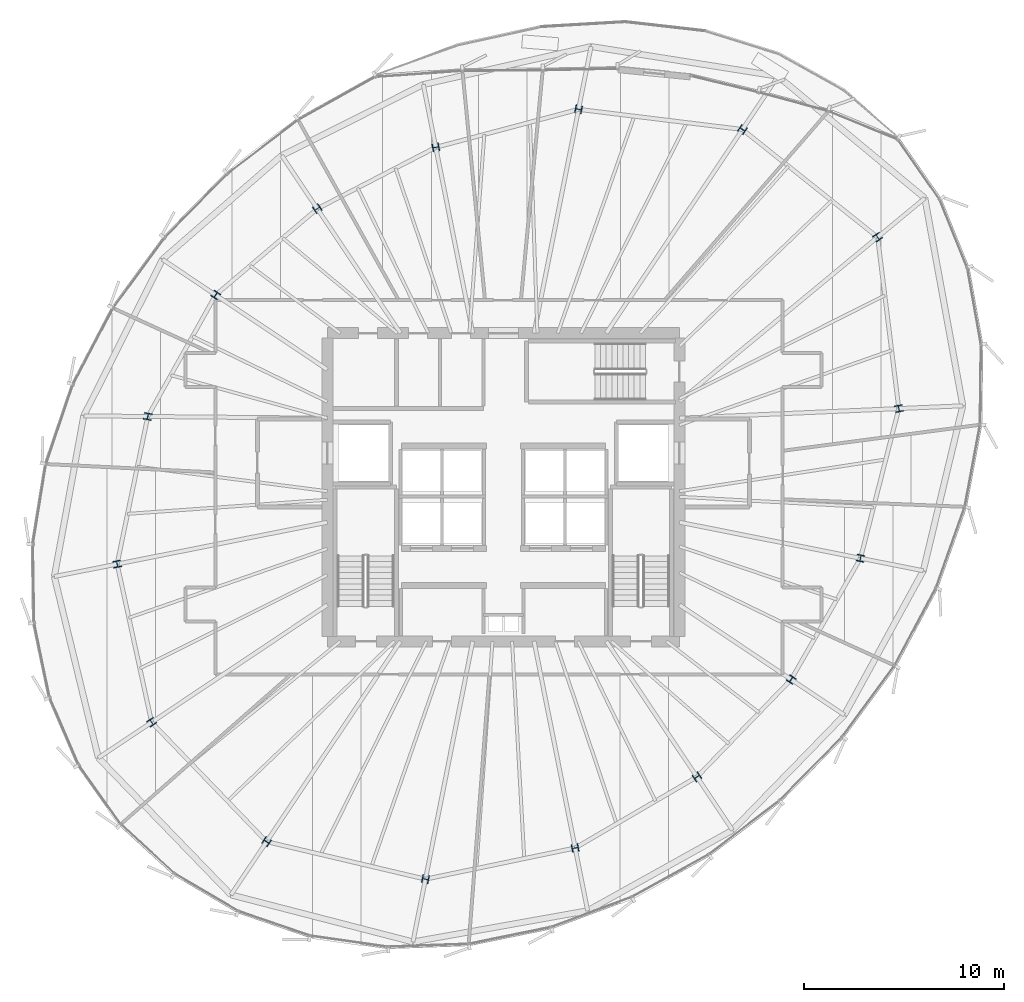
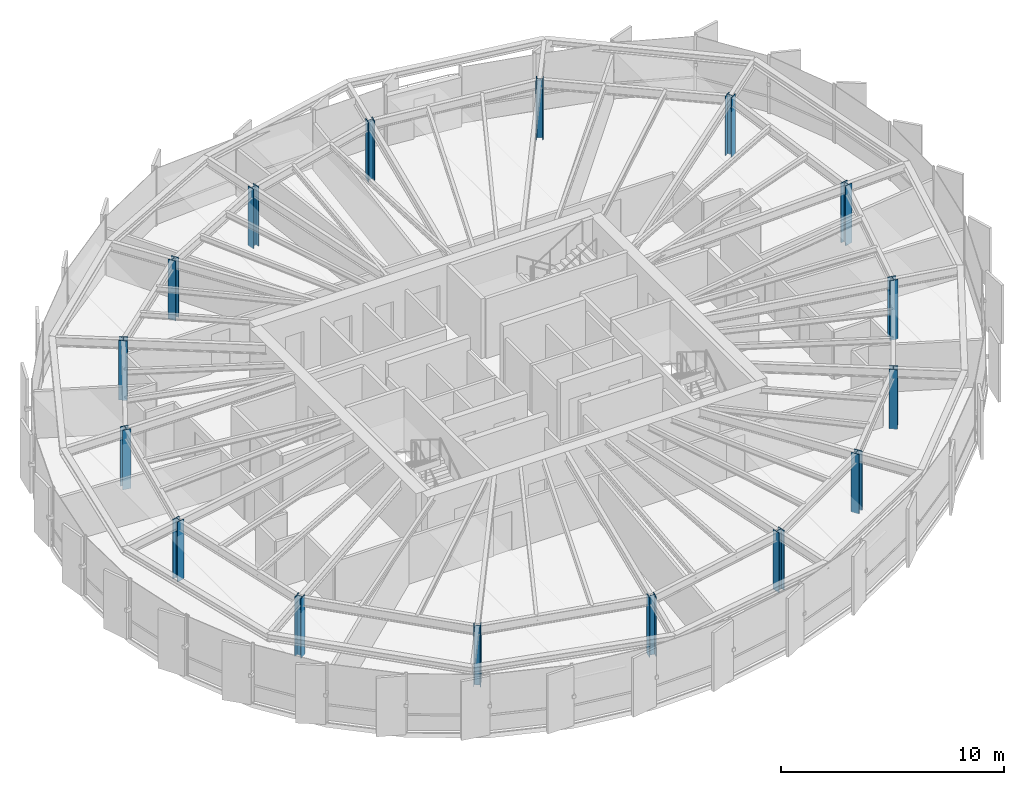
# One storey, part 1 of 37: 16 columns.
"""IFC4 building model written with IfcOpenShell, lengths in metres."""

from ifc_helpers import new_model, si_unit, direction, frame, origin, origin_2d, place, context, subcontext, project, spatial, i_section, extrude, source, transform, mapped, material, material_profile, profile_set, type_object, element, save


model = new_model("IFC4")

# Units and contexts
model_context = context("Model", 3, precision=1e-05, world=origin(), true_north=direction((0.0, 1.0)))
body_context = subcontext(model_context, "Body", "Model", "MODEL_VIEW")
ifc_project = project(units=[si_unit("LENGTHUNIT", "METRE"), si_unit("AREAUNIT", "SQUARE_METRE"), si_unit("VOLUMEUNIT", "CUBIC_METRE"), si_unit("PLANEANGLEUNIT", "RADIAN"), si_unit("MASSUNIT", "GRAM", prefix="KILO"), si_unit("THERMODYNAMICTEMPERATUREUNIT", "KELVIN")], contexts=[model_context])

# Site, building, storey
site_placement = place(None, origin())
site = spatial("IfcSite", under=ifc_project, at=site_placement, CompositionType="ELEMENT")
building_placement = place(site_placement, origin())
building = spatial("IfcBuilding", under=site, at=building_placement, Name="Kethvar Cultural Tower", CompositionType="ELEMENT")
storey_placement = place(building_placement, frame((0.0, 0.0, 200.89990234375)))
storey = spatial("IfcBuildingStorey", under=building, at=storey_placement, Name="L52", CompositionType="ELEMENT", Elevation=200.89990234375)

# Columns
ifc_material = material(Name="Steel S460M", Category="steel")
ifc_material_profile = material_profile(ifc_material, i_section(OverallWidth=0.39111328125, OverallDepth=0.3349609375, WebThickness=0.022705078125, FlangeThickness=0.033935546875, FilletRadius=0.014892578125, at=origin_2d()), Name="Steel S460M — HD400x463")
ifc_profile_set = profile_set([ifc_material_profile], Name="Steel S460M — HD400x463")
column_type = type_object("IfcColumnType", Name="COL-HD463", PredefinedType="COLUMN", material=ifc_profile_set)
shared_shape = source(origin(), body_context, "Body", "SweptSolid", [
    extrude(i_section(OverallWidth=0.39111328125, OverallDepth=0.3349609375, WebThickness=0.022705078125, FlangeThickness=0.033935546875, FilletRadius=0.014892578125, at=origin_2d()), origin(), (0.0, 0.0, 1.0), 3.260009765625),
])
for number, where, z_axis, x_axis, name in (
    (1, (66.56396484375, 31.731201171875, 0.0), (0.0, 0.0, 1.0), (0.980785280403, 0.195090322016, 0.0), "L52 Mega-Column MC-01"),
    (2, (65.504150390625, 40.297607421875, 0.0), (0.0, 0.0, 1.0), (0.831469612303, 0.55557023302, 0.0), "L52 Mega-Column MC-02"),
    (3, (58.748046875, 45.681396484375, 0.0), (0.0, 0.0, 1.0), (0.55557023302, 0.831469612303, 0.0), "L52 Mega-Column MC-03"),
    (4, (50.556884765625, 46.6875, 0.0), (0.0, 0.0, 1.0), (0.195090322016, 0.980785280403, 0.0), "L52 Mega-Column MC-04"),
    (5, (43.420654296875, 44.789306640625, 0.0), (0.0, 0.0, 1.0), (-0.195090322016, 0.980785280403, 0.0), "L52 Mega-Column MC-05"),
    (6, (37.498779296875, 41.720458984375, 0.0), (0.0, 0.0, 1.0), (-0.55557023302, 0.831469612303, 0.0), "L52 Mega-Column MC-06"),
    (7, (32.418212890625, 37.409423828125, 0.0), (0.0, 0.0, 1.0), (-0.831469612303, 0.55557023302, 0.0), "L52 Mega-Column MC-07"),
    (8, (29.02490234375, 31.335693359375, 0.0), (0.0, 0.0, 1.0), (-0.980785280403, 0.195090322016, 0.0), "L52 Mega-Column MC-08"),
    (9, (27.492919921875, 23.959716796875, 0.0), (0.0, 0.0, 1.0), (-0.980785280403, -0.195090322016, 0.0), "L52 Mega-Column MC-09"),
    (10, (29.217529296875, 16.0517578125, 0.0), (0.0, 0.0, 1.0), (-0.831469612303, -0.55557023302, 0.0), "L52 Mega-Column MC-10"),
    (11, (34.962646484375, 10.084228515625, 0.0), (0.0, 0.0, 1.0), (-0.55557023302, -0.831469612303, 0.0), "L52 Mega-Column MC-11"),
    (12, (42.903564453125, 8.2109375, 0.0), (0.0, 0.0, 1.0), (-0.195090322016, -0.980785280403, 0.0), "L52 Mega-Column MC-12"),
    (13, (50.38671875, 9.7685546875, 0.0), (0.0, 0.0, 1.0), (0.195090322016, -0.980785280403, 0.0), "L52 Mega-Column MC-13"),
    (14, (56.474609375, 13.32080078125, 0.0), (0.0, 0.0, 1.0), (0.55557023302, -0.831469612303, 0.0), "L52 Mega-Column MC-14"),
    (15, (61.1826171875, 18.18994140625, 0.0), (0.0, 0.0, 1.0), (0.831469612303, -0.55557023302, 0.0), "L52 Mega-Column MC-15"),
    (16, (64.648681640625, 24.249755859375, 0.0), (0.0, 0.0, 1.0), (0.980785280403, -0.195090322016, 0.0), "L52 Mega-Column MC-16"),
):
    element("IfcColumn", number, at=place(storey_placement, frame(where, z_axis=z_axis, x_axis=x_axis)), inside=storey, type_object=column_type, Name=name, PredefinedType="COLUMN", context=body_context, shape_type="MappedRepresentation", body=[
        mapped(shared_shape, transform((0.0, 0.0, 0.0), scale=1.0)),
    ])

save(model, "model.ifc")
